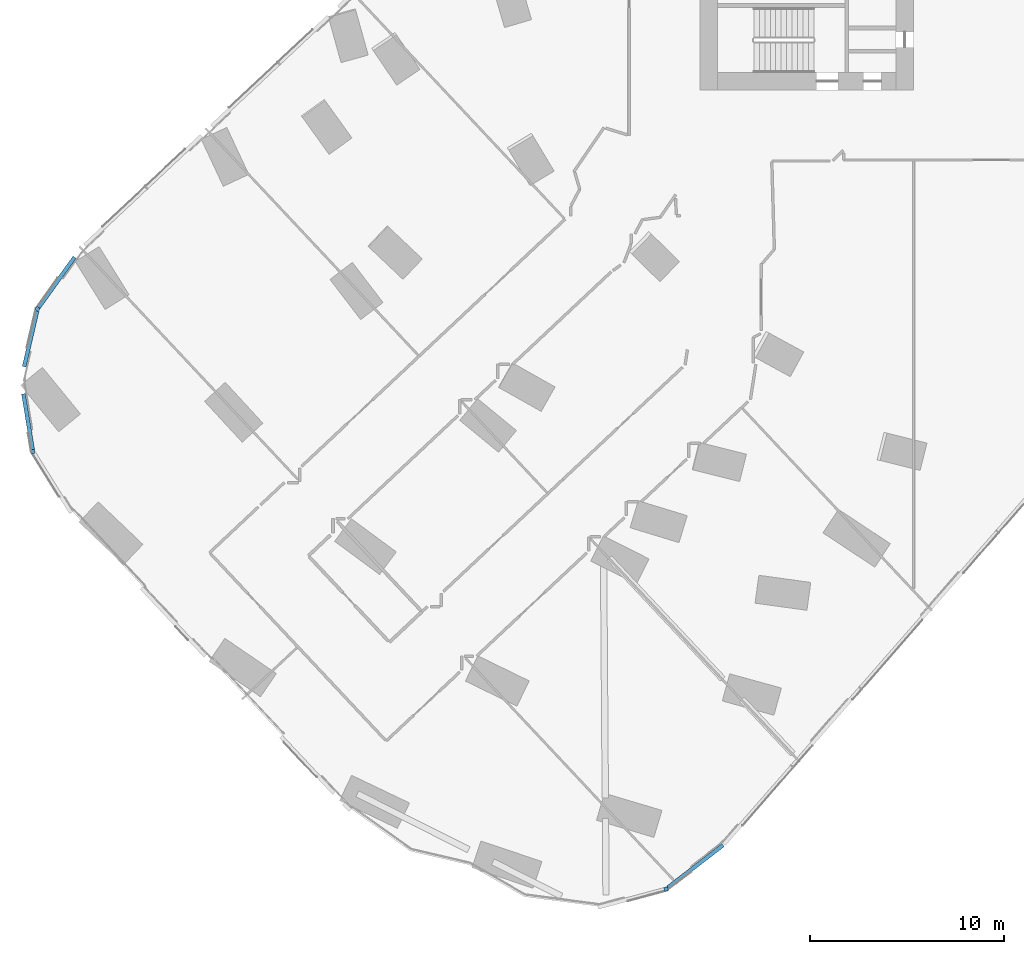
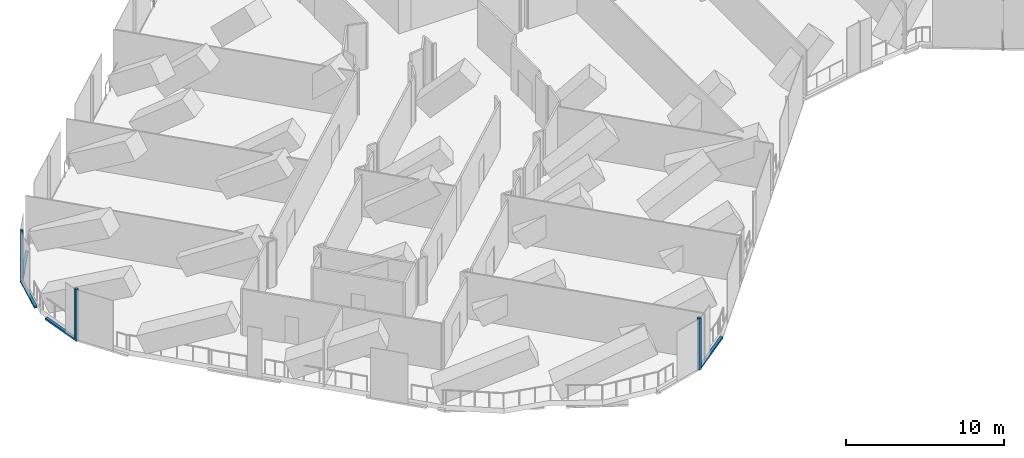
# One storey, part 3 of 31: 7 members, 5 elements without a shape of their own.
"""IFC4 building model written with IfcOpenShell, lengths in metres."""

import ifcopenshell
import ifcopenshell.guid

model = None  # the IFC model being written
_history = None  # IfcOwnerHistory: only IFC2X3 demands one
_inside = {}  # id of a spatial element -> (the spatial element, [elements in it])
_under = {}  # id of a project, library or spatial element -> (it, [spatial elements below it])
_declared = {}  # id of a project -> (the project, [libraries it declares])
_typed = {}  # id of a type object -> (the type object, [elements of that type])
_made_of = {}  # id of a material, layer set ... -> (it, [elements and type objects made of it])


def new_model(schema):
    """Start an empty IFC model of exactly this schema.

    Asked for "IFC4X3", IfcOpenShell would pick the latest addendum, in which some entities
    have other attributes; the version numbers below select the first issue.
    IFC2X3 requires an IfcOwnerHistory on every rooted entity: one is made here for all.
    """
    global model, _history
    if schema == "IFC4X3":
        model = ifcopenshell.file(schema_version=(4, 3, 0, 0))
    else:
        model = ifcopenshell.file(schema=schema)
    _inside.clear()
    _under.clear()
    _declared.clear()
    _typed.clear()
    _made_of.clear()
    _history = None
    if model.schema == "IFC2X3":
        org = make("IfcOrganization", Name="unknown")
        user = make(
            "IfcPersonAndOrganization",
            ThePerson=make("IfcPerson", FamilyName="unknown"),
            TheOrganization=org,
        )
        app = make(
            "IfcApplication",
            ApplicationDeveloper=org,
            Version="unknown",
            ApplicationFullName="unknown",
            ApplicationIdentifier="unknown",
        )
        _history = make(
            "IfcOwnerHistory",
            OwningUser=user,
            OwningApplication=app,
            ChangeAction="ADDED",
            CreationDate=0,
        )
    return model


def make(cls, **values):
    """One entity of the class cls with the attributes given. An attribute that is None is left unset."""
    return model.create_entity(
        cls, **{name: value for name, value in values.items() if value is not None}
    )


def rooted(cls, **values):
    """An entity with a GlobalId (a new one), such as an element, a storey or a relation."""
    return make(cls, GlobalId=ifcopenshell.guid.new(), OwnerHistory=_history, **values)


def si_unit(unit_type, name, prefix=None):
    """IfcSIUnit, for example si_unit("LENGTHUNIT", "METRE", prefix="MILLI")."""
    return make("IfcSIUnit", UnitType=unit_type, Prefix=prefix, Name=name)


def assignment(units):
    """IfcUnitAssignment: the units of a project."""
    return None if units is None else make("IfcUnitAssignment", Units=units)


def point(xyz):
    """IfcCartesianPoint."""
    return None if xyz is None else make("IfcCartesianPoint", Coordinates=xyz)


def direction(xyz):
    """IfcDirection."""
    return None if xyz is None else make("IfcDirection", DirectionRatios=xyz)


def frame(location, z_axis=None, x_axis=None):
    """IfcAxis2Placement3D, a coordinate frame: its origin and axes. An axis left out is left unset."""
    return make(
        "IfcAxis2Placement3D",
        Location=point(location),
        Axis=direction(z_axis),
        RefDirection=direction(x_axis),
    )


def frame_2d(location, x_axis=None):
    """IfcAxis2Placement2D, a coordinate frame in the plane: its origin and x axis."""
    return make(
        "IfcAxis2Placement2D", Location=point(location), RefDirection=direction(x_axis)
    )


def origin():
    """The frame at (0, 0, 0) with its axes left unset."""
    return frame((0.0, 0.0, 0.0))


def origin_2d():
    """The frame at (0, 0) in the plane with its x axis left unset."""
    return frame_2d((0.0, 0.0))


def place(relative_to, where):
    """IfcLocalPlacement: puts the frame where relative to a parent placement (None: the world)."""
    return make(
        "IfcLocalPlacement", PlacementRelTo=relative_to, RelativePlacement=where
    )


def context(
    kind, dimensions, precision=None, world=None, true_north=None, identifier=None
):
    """IfcGeometricRepresentationContext, for example the 3D "Model" context."""
    return make(
        "IfcGeometricRepresentationContext",
        ContextIdentifier=identifier,
        ContextType=kind,
        CoordinateSpaceDimension=dimensions,
        Precision=precision,
        WorldCoordinateSystem=world,
        TrueNorth=true_north,
    )


def subcontext(parent, identifier, kind, view, scale=None):
    """IfcGeometricRepresentationSubContext, for example "Body" below "Model"."""
    return make(
        "IfcGeometricRepresentationSubContext",
        ContextIdentifier=identifier,
        ContextType=kind,
        ParentContext=parent,
        TargetScale=scale,
        TargetView=view,
    )


def project(units=None, contexts=None):
    """IfcProject with its units and contexts."""
    return rooted(
        "IfcProject",
        Name="project",
        RepresentationContexts=contexts,
        UnitsInContext=assignment(units),
    )


def spatial(cls, under=None, at=None, **own):
    """A site, building, storey or space (cls), placed at a placement, below another one or the project."""
    s = rooted(cls, ObjectPlacement=at, **own)
    if under is not None:
        _under.setdefault(under.id(), (under, []))[1].append(s)
    return s


def profile(cls, at=None, kind="AREA", **sizes):
    """A parametric profile (cls). Its sizes go by their IFC names, for example OverallWidth=200.0."""
    return make(cls, ProfileType=kind, Position=at, **sizes)


def rectangle(**sizes):
    """IfcRectangleProfileDef."""
    return profile("IfcRectangleProfileDef", **sizes)


def extrude(swept, where, along, depth):
    """IfcExtrudedAreaSolid: the profile swept, set in the frame where, extruded along a direction by depth."""
    return make(
        "IfcExtrudedAreaSolid",
        SweptArea=swept,
        Position=where,
        ExtrudedDirection=direction(along),
        Depth=depth,
    )


def shape(context_of_items, identifier, shape_type, items):
    """IfcShapeRepresentation: the items that make up one representation, for example the "Body"."""
    return make(
        "IfcShapeRepresentation",
        ContextOfItems=context_of_items,
        RepresentationIdentifier=identifier,
        RepresentationType=shape_type,
        Items=items,
    )


def material(Name=None, Category=None):
    """IfcMaterial."""
    return make("IfcMaterial", Name=Name, Category=Category)


def material_profile(
    of_material, cross_section, Name=None, Category=None, Priority=None
):
    """IfcMaterialProfile: a cross section and its material."""
    return make(
        "IfcMaterialProfile",
        Name=Name,
        Material=of_material,
        Profile=cross_section,
        Priority=Priority,
        Category=Category,
    )


def profile_set(profiles, Name=None, composite=None):
    """IfcMaterialProfileSet."""
    return make(
        "IfcMaterialProfileSet",
        Name=Name,
        MaterialProfiles=profiles,
        CompositeProfile=composite,
    )


def made_of(thing, what):
    """Note that an element or type object is made of a material, layer set ...; save() writes the relation."""
    if what is not None:
        _made_of.setdefault(what.id(), (what, []))[1].append(thing)
    return thing


def type_object(cls, material=None, **own):
    """A type object (cls), such as IfcWallType, which elements share."""
    return made_of(rooted(cls, **own), material)


def element(
    cls,
    number,
    at=None,
    inside=None,
    cuts=None,
    type_object=None,
    material=None,
    context=None,
    identifier="Body",
    shape_type=None,
    held_by="IfcProductDefinitionShape",
    body=None,
    shapes=None,
    **own,
):
    """One element of the class cls, such as IfcWall. Its Tag is "e" and its number.

    at: its placement. inside: the storey or other place that contains it. cuts: it is an
    opening in that element (IfcRelVoidsElement). A single representation is given by context,
    identifier, shape_type and body (its items); several are given by shapes. held_by: the class
    of the entity that holds the representations. save() writes the other relations.
    """
    e = rooted(cls, Tag="e%d" % number, ObjectPlacement=at, **own)
    if body is not None:
        shapes = [shape(context, identifier, shape_type, body)]
    if shapes is not None:
        e.Representation = make(held_by, Representations=shapes)
    if inside is not None:
        _inside.setdefault(inside.id(), (inside, []))[1].append(e)
    if cuts is not None:
        rooted(
            "IfcRelVoidsElement", RelatingBuildingElement=cuts, RelatedOpeningElement=e
        )
    if type_object is not None:
        _typed.setdefault(type_object.id(), (type_object, []))[1].append(e)
    return made_of(e, material)


def aggregate(whole, parts):
    """IfcRelAggregates: a whole, such as a stair, and the parts it consists of."""
    return rooted("IfcRelAggregates", RelatingObject=whole, RelatedObjects=parts)


def save(model, path):
    """Write the relations noted so far, then the file.

    IfcRelAggregates (storeys below a building ...), IfcRelContainedInSpatialStructure (elements
    in a storey), IfcRelDefinesByType, IfcRelAssociatesMaterial and IfcRelDeclares: one each for
    every whole, place, type object, material and project.
    """
    for whole, parts in _under.values():
        aggregate(whole, parts)
    for where, things in _inside.values():
        rooted(
            "IfcRelContainedInSpatialStructure",
            RelatedElements=things,
            RelatingStructure=where,
        )
    for kind, things in _typed.values():
        rooted("IfcRelDefinesByType", RelatedObjects=things, RelatingType=kind)
    for what, things in _made_of.values():
        rooted("IfcRelAssociatesMaterial", RelatedObjects=things, RelatingMaterial=what)
    for by, libraries in _declared.values():
        rooted("IfcRelDeclares", RelatingContext=by, RelatedDefinitions=libraries)
    model.write(path)


model = new_model("IFC4")

# Units and contexts
model_context = context("Model", 3, precision=1e-05, world=origin(), true_north=direction((0.0, 1.0)))
body_context = subcontext(model_context, "Body", "Model", "MODEL_VIEW")
ifc_project = project(units=[si_unit("LENGTHUNIT", "METRE"), si_unit("AREAUNIT", "SQUARE_METRE"), si_unit("VOLUMEUNIT", "CUBIC_METRE"), si_unit("PLANEANGLEUNIT", "RADIAN"), si_unit("MASSUNIT", "GRAM", prefix="KILO")], contexts=[model_context])

# Site, building, storey
site_placement = place(None, origin())
site = spatial("IfcSite", under=ifc_project, at=site_placement, CompositionType="ELEMENT")
building_placement = place(site_placement, origin())
building = spatial("IfcBuilding", under=site, at=building_placement, Name="Orlundy Tower", CompositionType="ELEMENT")
storey_placement = place(building_placement, frame((0.0, 0.0, 54.800048828125)))
storey = spatial("IfcBuildingStorey", under=building, at=storey_placement, Name="L12", CompositionType="ELEMENT", Elevation=54.800048828125)

# Curtain wall, member
ifc_material_1 = material(Name="Aluminium bronze anodised", Category="aluminium")
curtain_wall_type = type_object("IfcCurtainWallType", Name="CW5 wall", PredefinedType="NOTDEFINED", material=ifc_material_1)
curtain_wall_1_placement = place(storey_placement, origin())
curtain_wall_1 = element("IfcCurtainWall", 1, at=curtain_wall_1_placement, inside=storey, type_object=curtain_wall_type, Name="CW5 run 02", PredefinedType="NOTDEFINED")
ifc_material_2 = material(Name="Aluminium bronze anodised", Category="aluminium")
ifc_material_profile_1 = material_profile(ifc_material_2, rectangle(XDim=0.199951171875, YDim=0.199951171875, at=origin_2d()), Name="CW5 corner post 200x200")
ifc_profile_set_1 = profile_set([ifc_material_profile_1], Name="Aluminium bronze anodised")
member_type_1 = type_object("IfcMemberType", Name="CW5 corner post 200x200", PredefinedType="MULLION", material=ifc_profile_set_1)
member_1_placement = place(storey_placement, frame((-20.748779296875, -53.157470703125, -0.400146484375), z_axis=(0.0, 0.0, 1.0), x_axis=(0.26007990033, -0.965587098839, 0.0)))
member_1 = element("IfcMember", 2, at=member_1_placement, type_object=member_type_1, Name="CW5 mullion 7", PredefinedType="MULLION", context=body_context, shape_type="SweptSolid", body=[
    extrude(rectangle(XDim=0.199951171875, YDim=0.199951171875, at=origin_2d()), origin(), (0.0, 0.0, 1.0), 4.0),
])
aggregate(curtain_wall_1, [member_1])

curtain_wall_2_placement = place(storey_placement, origin())
curtain_wall_2 = element("IfcCurtainWall", 3, at=curtain_wall_2_placement, inside=storey, type_object=curtain_wall_type, Name="CW5 run 09", PredefinedType="NOTDEFINED")
member_2_placement = place(storey_placement, frame((-53.365478515625, -30.62109375, -0.400146484375), z_axis=(0.0, 0.0, 1.0), x_axis=(-0.986546608379, -0.163480241914, 0.0)))
member_2 = element("IfcMember", 4, at=member_2_placement, type_object=member_type_1, Name="CW5 mullion 17", PredefinedType="MULLION", context=body_context, shape_type="SweptSolid", body=[
    extrude(rectangle(XDim=0.199951171875, YDim=0.199951171875, at=origin_2d()), origin(), (0.0, 0.0, 1.0), 4.0),
])

curtain_wall_3_placement = place(storey_placement, origin())
curtain_wall_3 = element("IfcCurtainWall", 5, at=curtain_wall_3_placement, inside=storey, type_object=curtain_wall_type, Name="CW5 run 011", PredefinedType="NOTDEFINED")
member_3_placement = place(storey_placement, frame((-53.1298828125, -23.27490234375, -0.400146484375), z_axis=(0.0, 0.0, 1.0), x_axis=(-0.813204454711, 0.58197810512, 0.0)))
member_3 = element("IfcMember", 6, at=member_3_placement, type_object=member_type_1, Name="CW5 mullion 19", PredefinedType="MULLION", context=body_context, shape_type="SweptSolid", body=[
    extrude(rectangle(XDim=0.199951171875, YDim=0.199951171875, at=origin_2d()), origin(), (0.0, 0.0, 1.0), 4.0),
])

curtain_wall_4_placement = place(storey_placement, origin())
curtain_wall_4 = element("IfcCurtainWall", 7, at=curtain_wall_4_placement, inside=storey, type_object=curtain_wall_type, Name="CW5 run 01", PredefinedType="NOTDEFINED")
ifc_material_3 = material(Name="Aluminium bronze anodised", Category="aluminium")
ifc_material_profile_2 = material_profile(ifc_material_3, rectangle(XDim=0.199951171875, YDim=0.139892578125, at=origin_2d()), Name="CW5 transom 200x140")
ifc_profile_set_2 = profile_set([ifc_material_profile_2], Name="Aluminium bronze anodised")
member_type_2 = type_object("IfcMemberType", Name="CW5 transom 200x140", PredefinedType="USERDEFINED", material=ifc_profile_set_2)
member_4_placement = place(storey_placement, frame((-17.80810546875, -50.8935546875, -0.330078125), z_axis=(-0.792407302612, -0.609992349762, 0.0), x_axis=(0.609992349762, -0.792407302612, 0.0)))
member_4 = element("IfcMember", 8, at=member_4_placement, type_object=member_type_2, Name="CW5 transom", ObjectType="TRANSOM", PredefinedType="USERDEFINED", context=body_context, shape_type="SweptSolid", body=[
    extrude(rectangle(XDim=0.199951171875, YDim=0.139892578125, at=origin_2d()), origin(), (0.0, 0.0, 1.0), 3.60302734375),
])
aggregate(curtain_wall_4, [member_4])

# Member
member_5_placement = place(storey_placement, frame((-53.3818359375, -30.522216796875, -0.330078125), z_axis=(-0.163434426667, 0.986554199312, 0.0), x_axis=(-0.986554199312, -0.163434426667, 0.0)))
member_5 = element("IfcMember", 9, at=member_5_placement, type_object=member_type_2, Name="CW5 transom", ObjectType="TRANSOM", PredefinedType="USERDEFINED", context=body_context, shape_type="SweptSolid", body=[
    extrude(rectangle(XDim=0.199951171875, YDim=0.139892578125, at=origin_2d()), origin(), (0.0, 0.0, 1.0), 2.91455078125),
])

aggregate(curtain_wall_2, [member_2, member_5])

# Curtain wall, member
curtain_wall_5_placement = place(storey_placement, origin())
curtain_wall_5 = element("IfcCurtainWall", 10, at=curtain_wall_5_placement, inside=storey, type_object=curtain_wall_type, Name="CW5 run 010", PredefinedType="NOTDEFINED")
member_6_placement = place(storey_placement, frame((-53.820556640625, -26.2470703125, -0.330078125), z_axis=(0.226379890275, 0.974039088168, 0.0), x_axis=(-0.974039088168, 0.226379890275, 0.0)))
member_6 = element("IfcMember", 11, at=member_6_placement, type_object=member_type_2, Name="CW5 transom", ObjectType="TRANSOM", PredefinedType="USERDEFINED", context=body_context, shape_type="SweptSolid", body=[
    extrude(rectangle(XDim=0.199951171875, YDim=0.139892578125, at=origin_2d()), origin(), (0.0, 0.0, 1.0), 2.943115234375),
])
aggregate(curtain_wall_5, [member_6])

# Member
member_7_placement = place(storey_placement, frame((-53.07177734375, -23.193603515625, -0.330078125), z_axis=(0.582014994464, 0.813178053208, 0.0), x_axis=(-0.813178053208, 0.582014994464, 0.0)))
member_7 = element("IfcMember", 12, at=member_7_placement, type_object=member_type_2, Name="CW5 transom", ObjectType="TRANSOM", PredefinedType="USERDEFINED", context=body_context, shape_type="SweptSolid", body=[
    extrude(rectangle(XDim=0.199951171875, YDim=0.139892578125, at=origin_2d()), origin(), (0.0, 0.0, 1.0), 3.179931640625),
])

aggregate(curtain_wall_3, [member_3, member_7])

save(model, "model.ifc")
